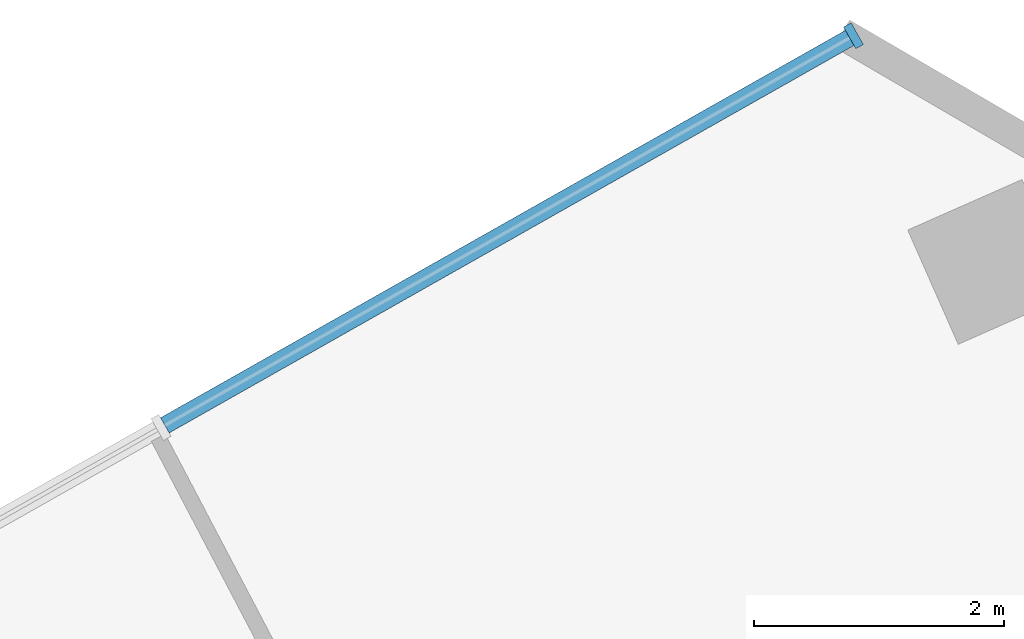
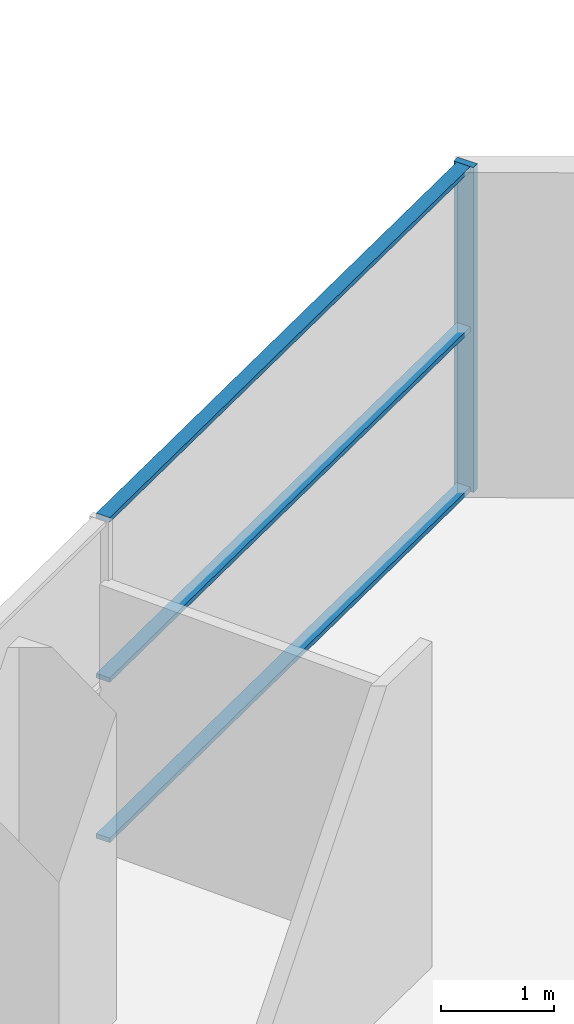
# One storey, part 4 of 10: 4 members, 1 element without a shape of its own.
"""IFC4 building model written with IfcOpenShell, lengths in metres."""

from ifc_helpers import new_model, si_unit, direction, frame, origin, origin_2d, place, context, subcontext, project, spatial, rectangle, extrude, material, material_profile, profile_set, type_object, element, aggregate, save


model = new_model("IFC4")

# Units and contexts
model_context = context("Model", 3, precision=1e-05, world=origin(), true_north=direction((0.0, 1.0)))
body_context = subcontext(model_context, "Body", "Model", "MODEL_VIEW")
ifc_project = project(units=[si_unit("LENGTHUNIT", "METRE"), si_unit("AREAUNIT", "SQUARE_METRE"), si_unit("VOLUMEUNIT", "CUBIC_METRE"), si_unit("PLANEANGLEUNIT", "RADIAN"), si_unit("MASSUNIT", "GRAM", prefix="KILO")], contexts=[model_context])

# Site, building, storey
site_placement = place(None, origin())
site = spatial("IfcSite", under=ifc_project, at=site_placement, CompositionType="ELEMENT")
building_placement = place(site_placement, origin())
building = spatial("IfcBuilding", under=site, at=building_placement, Name="Binnacle Exchange Tower", CompositionType="ELEMENT")
storey_placement = place(building_placement, frame((0.0, 0.0, 316.5)))
storey = spatial("IfcBuildingStorey", under=building, at=storey_placement, Name="L71", CompositionType="ELEMENT", Elevation=316.5)

# Curtain wall, members
ifc_material = material(Name="Bronze anodised aluminium frame", Category="aluminium")
curtain_wall_type = type_object("IfcCurtainWallType", Name="External wall - curtain wall executive floors", PredefinedType="NOTDEFINED", material=ifc_material)
curtain_wall_placement = place(storey_placement, origin())
curtain_wall = element("IfcCurtainWall", 1, at=curtain_wall_placement, inside=storey, type_object=curtain_wall_type, Name="External wall curtain wall CW4-H03 L71", PredefinedType="NOTDEFINED")
ifc_material_profile_1 = material_profile(ifc_material, rectangle(XDim=0.199951171875, YDim=0.070068359375, at=origin_2d()), Name="AL 70x200")
ifc_profile_set_1 = profile_set([ifc_material_profile_1], Name="Bronze anodised aluminium frame")
member_type_1 = type_object("IfcMemberType", Name="CW4 MULLION 70x200", PredefinedType="MULLION", material=ifc_profile_set_1)
member_1_placement = place(storey_placement, frame((-3.01416015625, 70.294677734375, 0.0), z_axis=(0.0, 0.0, 1.0), x_axis=(0.492423763019, -0.870355581136, 0.0)))
member_1 = element("IfcMember", 2, at=member_1_placement, type_object=member_type_1, Name="CW4-H03 mullion 1", PredefinedType="MULLION", context=body_context, shape_type="SweptSolid", body=[
    extrude(rectangle(XDim=0.199951171875, YDim=0.070068359375, at=origin_2d()), origin(), (0.0, 0.0, 1.0), 3.52001953125),
])
ifc_material_profile_2 = material_profile(ifc_material, rectangle(XDim=0.139892578125, YDim=0.050048828125, at=origin_2d()), Name="AL 140x50")
ifc_profile_set_2 = profile_set([ifc_material_profile_2], Name="Bronze anodised aluminium frame")
member_type_2 = type_object("IfcMemberType", Name="CW4 TRANSOM 50x140", PredefinedType="USERDEFINED", material=ifc_profile_set_2)
member_2_placement = place(storey_placement, frame((-3.044677734375, 70.27734375, 0.02490234375), z_axis=(-0.870359957561, -0.492416027637, 0.0), x_axis=(0.492416027637, -0.870359957561, 0.0)))
member_2 = element("IfcMember", 3, at=member_2_placement, type_object=member_type_2, Name="CW4-H03 transom 1.1", ObjectType="TRANSOM", PredefinedType="USERDEFINED", context=body_context, shape_type="SweptSolid", body=[
    extrude(rectangle(XDim=0.139892578125, YDim=0.050048828125, at=origin_2d()), origin(), (0.0, 0.0, 1.0), 6.300048828125),
])
member_3_placement = place(storey_placement, frame((-3.044677734375, 70.27734375, 1.760009765625), z_axis=(-0.870359957561, -0.492416027637, 0.0), x_axis=(0.492416027637, -0.870359957561, 0.0)))
member_3 = element("IfcMember", 4, at=member_3_placement, type_object=member_type_2, Name="CW4-H03 transom 1.2", ObjectType="TRANSOM", PredefinedType="USERDEFINED", context=body_context, shape_type="SweptSolid", body=[
    extrude(rectangle(XDim=0.139892578125, YDim=0.050048828125, at=origin_2d()), origin(), (0.0, 0.0, 1.0), 6.300048828125),
])
member_4_placement = place(storey_placement, frame((-3.044677734375, 70.27734375, 3.4951171875), z_axis=(-0.870359957561, -0.492416027637, 0.0), x_axis=(0.492416027637, -0.870359957561, 0.0)))
member_4 = element("IfcMember", 5, at=member_4_placement, type_object=member_type_2, Name="CW4-H03 transom 1.3", ObjectType="TRANSOM", PredefinedType="USERDEFINED", context=body_context, shape_type="SweptSolid", body=[
    extrude(rectangle(XDim=0.139892578125, YDim=0.050048828125, at=origin_2d()), origin(), (0.0, 0.0, 1.0), 6.300048828125),
])
aggregate(curtain_wall, [member_1, member_2, member_3, member_4])

save(model, "model.ifc")
